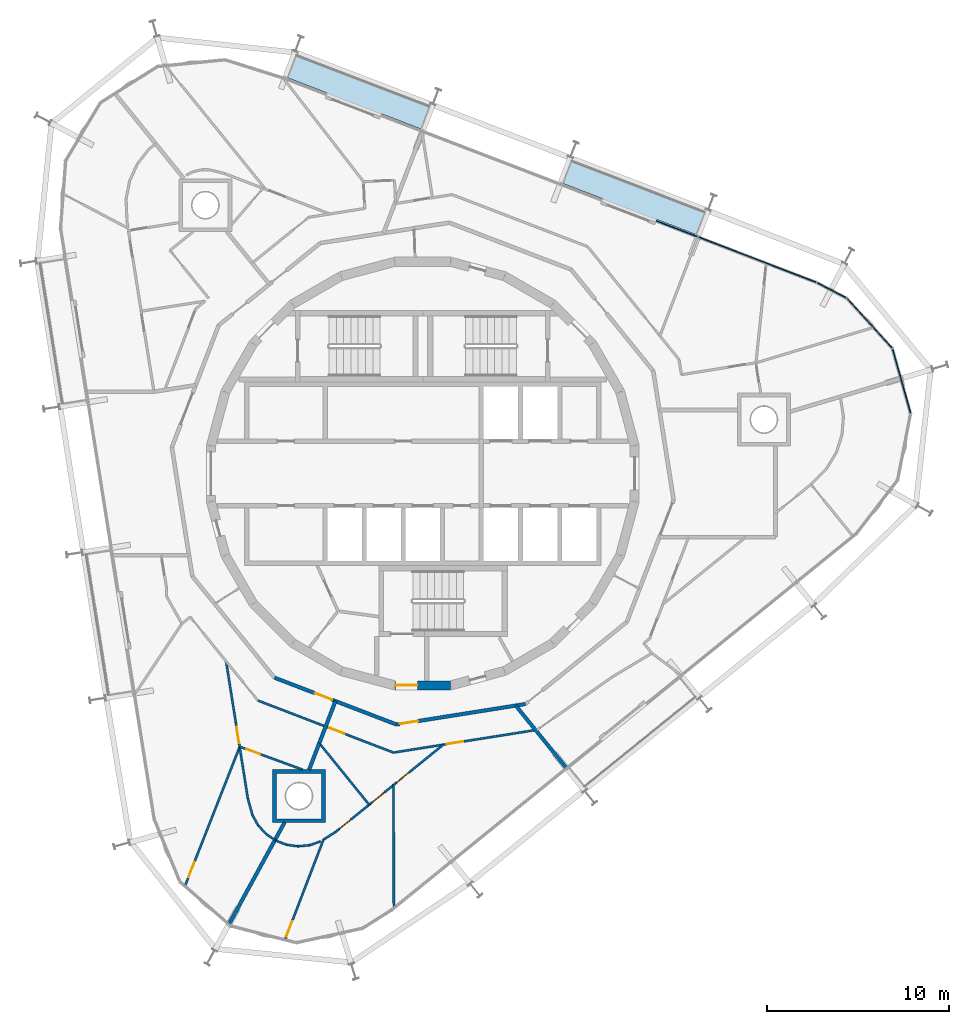
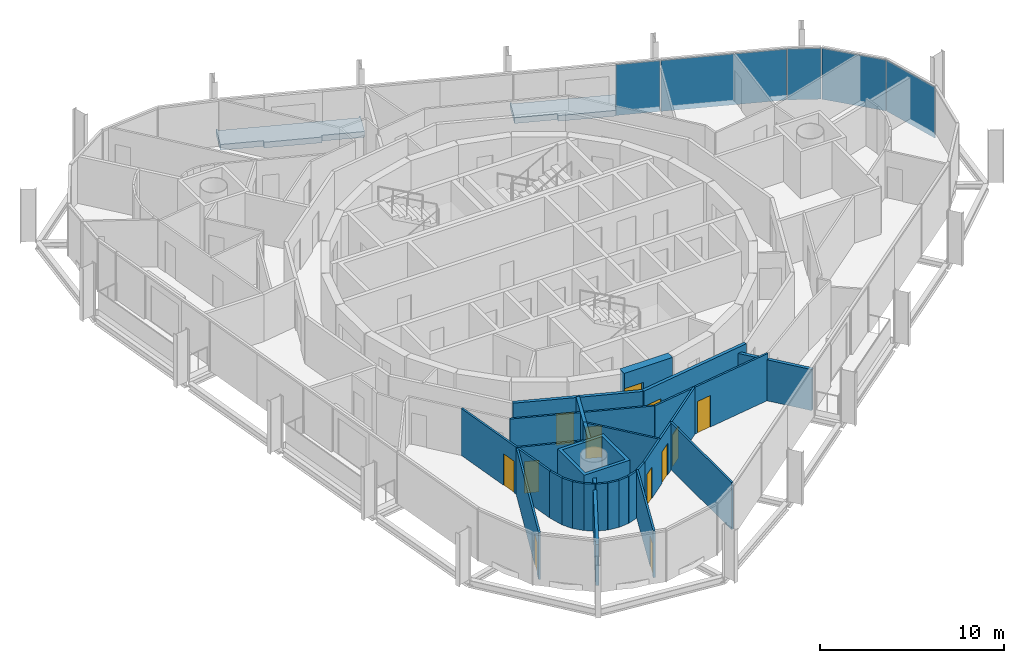
# One storey, part 11 of 18: 26 walls, 12 doors, 5 plates, 2 slabs, 12 openings, 2 elements without a shape of their own.
"""IFC4 building model written with IfcOpenShell, lengths in metres."""

from ifc_helpers import new_model, si_unit, direction, frame, frame_2d, origin, origin_2d, place, context, subcontext, project, spatial, polyline, rectangle, outline, extrude, material, layer, layer_set, type_object, element, fill, aggregate, save


model = new_model("IFC4")

# Units and contexts
model_context = context("Model", 3, precision=1e-05, world=origin(), true_north=direction((0.0, 1.0)))
body_context = subcontext(model_context, "Body", "Model", "MODEL_VIEW")
ifc_project = project(units=[si_unit("LENGTHUNIT", "METRE"), si_unit("AREAUNIT", "SQUARE_METRE"), si_unit("VOLUMEUNIT", "CUBIC_METRE"), si_unit("PLANEANGLEUNIT", "RADIAN"), si_unit("MASSUNIT", "GRAM", prefix="KILO")], contexts=[model_context])

# Site, building, storey
site_placement = place(None, origin())
site = spatial("IfcSite", under=ifc_project, at=site_placement, CompositionType="ELEMENT")
building_placement = place(site_placement, origin())
building = spatial("IfcBuilding", under=site, at=building_placement, Name="Spindle Arch Residences", CompositionType="ELEMENT")
storey_placement = place(building_placement, frame((0.0, 0.0, 280.89990234375)))
storey = spatial("IfcBuildingStorey", under=building, at=storey_placement, Name="L72", CompositionType="ELEMENT", Elevation=280.89990234375)

# Slabs
ifc_material_1 = material(Name="Concrete C40/50", Category="concrete")
ifc_layer_1 = layer(ifc_material_1, 0.3798828125)
ifc_layer_set_1 = layer_set([ifc_layer_1], Name="Balcony slab 380")
slab_type = type_object("IfcSlabType", Name="Balcony slab 380", PredefinedType="FLOOR", material=ifc_layer_set_1)
slab_1_placement = place(storey_placement, frame((0.0, 0.0, -0.3798828125)))
element("IfcSlab", 1, at=slab_1_placement, inside=storey, type_object=slab_type, Name="Balcony L72 bay 6", PredefinedType="FLOOR", context=body_context, shape_type="SweptSolid", body=[
    extrude(outline(polyline([(15.6220703125, 14.511962890625), (15.552001953125, 14.538818359375), (15.498291015625, 14.39892578125), (8.209228515625, 17.19677734375), (8.26318359375, 17.3369140625), (8.193115234375, 17.36376953125), (7.6591796875, 15.97265625), (9.8798828125, 15.120361328125), (9.822509765625, 14.970947265625), (12.81005859375, 13.823974609375), (12.867431640625, 13.973388671875), (15.088134765625, 13.12109375), (15.6220703125, 14.511962890625)])), origin(), (0.0, 0.0, 1.0), 0.3798828125),
])
slab_2_placement = place(storey_placement, frame((0.0, 0.0, -0.3798828125)))
element("IfcSlab", 2, at=slab_2_placement, inside=storey, type_object=slab_type, Name="Balcony L72 bay 8", PredefinedType="FLOOR", context=body_context, shape_type="SweptSolid", body=[
    extrude(outline(polyline([(0.48388671875, 20.322998046875), (0.413818359375, 20.349853515625), (0.360107421875, 20.2099609375), (-6.928955078125, 23.0078125), (-6.875, 23.14794921875), (-6.945068359375, 23.1748046875), (-7.47900390625, 21.78369140625), (-5.25830078125, 20.93115234375), (-5.315673828125, 20.781982421875), (-2.328125, 19.635009765625), (-2.270751953125, 19.784423828125), (-0.050048828125, 18.931884765625), (0.48388671875, 20.322998046875)])), origin(), (0.0, 0.0, 1.0), 0.3798828125),
])

# Curtain wall, plates
ifc_material_2 = material(Name="Aluminium bronze unitised frame with tinted glass", Category="aluminium")
ifc_layer_2 = layer(ifc_material_2, 0.159912109375)
ifc_layer_set_2 = layer_set([ifc_layer_2], Name="CW-D corner wall on the fillet arcs")
curtain_wall_type_1 = type_object("IfcCurtainWallType", Name="CW-D corner wall on the fillet arcs", PredefinedType="NOTDEFINED", material=ifc_layer_set_2)
curtain_wall_1_placement = place(storey_placement, origin())
curtain_wall_1 = element("IfcCurtainWall", 3, at=curtain_wall_1_placement, inside=storey, type_object=curtain_wall_type_1, Name="CW-D L72 run 1", PredefinedType="NOTDEFINED")
ifc_material_3 = material(Name="Tinted double glazing over aluminium faced non-combustible spandrel zone (K0)", Category="aluminium")
ifc_layer_3 = layer(ifc_material_3, 0.06005859375)
ifc_layer_set_3 = layer_set([ifc_layer_3], Name="Unitised glass panel with E 60 spandrel zone")
plate_type = type_object("IfcPlateType", Name="Unitised glass panel with E 60 spandrel zone", PredefinedType="CURTAIN_PANEL", material=ifc_layer_set_3)
plate_1_placement = place(storey_placement, frame((26.32958984375, 5.09423828125, -0.3798828125), z_axis=(0.0, 0.0, 1.0), x_axis=(-0.270040328007, 0.962849012696, 0.0)))
plate_1 = element("IfcPlate", 4, at=plate_1_placement, type_object=plate_type, Name="CW-D unit 03", PredefinedType="CURTAIN_PANEL", context=body_context, shape_type="SweptSolid", body=[
    extrude(rectangle(XDim=3.666748046875, YDim=0.06005859375, at=origin_2d()), origin(), (0.0, 0.0, 1.0), 3.3798828125),
])
plate_2_placement = place(storey_placement, frame((24.571533203125, 8.265869140625, -0.3798828125), z_axis=(0.0, 0.0, 1.0), x_axis=(-0.673442702134, 0.73923942464, 0.0)))
plate_2 = element("IfcPlate", 5, at=plate_2_placement, type_object=plate_type, Name="CW-D unit 04", PredefinedType="CURTAIN_PANEL", context=body_context, shape_type="SweptSolid", body=[
    extrude(rectangle(XDim=3.666748046875, YDim=0.06005859375, at=origin_2d()), origin(), (0.0, 0.0, 1.0), 3.3798828125),
])
plate_3_placement = place(storey_placement, frame((22.48583984375, 10.078857421875, -0.3798828125), z_axis=(0.0, 0.0, 1.0), x_axis=(-0.885663912754, 0.464326860783, 0.0)))
plate_3 = element("IfcPlate", 6, at=plate_3_placement, type_object=plate_type, Name="CW-D unit 05", PredefinedType="CURTAIN_PANEL", context=body_context, shape_type="SweptSolid", body=[
    extrude(rectangle(XDim=1.816162109375, YDim=0.06005859375, at=origin_2d()), origin(), (0.0, 0.0, 1.0), 3.3798828125),
])
plate_4_placement = place(storey_placement, frame((18.392333984375, 11.76708984375, -0.3798828125), z_axis=(0.0, 0.0, 1.0), x_axis=(-0.933580426497, 0.358367949545, 0.0)))
plate_4 = element("IfcPlate", 7, at=plate_4_placement, type_object=plate_type, Name="CW-D unit 06", PredefinedType="CURTAIN_PANEL", context=body_context, shape_type="SweptSolid", body=[
    extrude(rectangle(XDim=6.9296875, YDim=0.06005859375, at=origin_2d()), origin(), (0.0, 0.0, 1.0), 3.3798828125),
])
aggregate(curtain_wall_1, [plate_1, plate_2, plate_3, plate_4])

# Curtain wall, plate
ifc_material_4 = material(Name="Aluminium bronze unitised frame with tinted glass", Category="aluminium")
ifc_layer_4 = layer(ifc_material_4, 0.159912109375)
ifc_layer_set_4 = layer_set([ifc_layer_4], Name="CW-C typical residential unitised wall")
curtain_wall_type_2 = type_object("IfcCurtainWallType", Name="CW-C typical residential unitised wall", PredefinedType="NOTDEFINED", material=ifc_layer_set_4)
curtain_wall_2_placement = place(storey_placement, origin())
curtain_wall_2 = element("IfcCurtainWall", 8, at=curtain_wall_2_placement, inside=storey, type_object=curtain_wall_type_2, Name="CW-C L72 run 2", PredefinedType="NOTDEFINED")
plate_5_placement = place(storey_placement, frame((13.969970703125, 13.46435546875, -0.3798828125), z_axis=(0.0, 0.0, 1.0), x_axis=(-0.933580426497, 0.358367949545, 0.0)))
plate_5 = element("IfcPlate", 9, at=plate_5_placement, type_object=plate_type, Name="CW-C unit 05L", PredefinedType="CURTAIN_PANEL", context=body_context, shape_type="SweptSolid", body=[
    extrude(rectangle(XDim=2.423828125, YDim=0.06005859375, at=origin_2d()), origin(), (0.0, 0.0, 1.0), 3.3798828125),
])
aggregate(curtain_wall_2, [plate_5])

# Wall, opening, door
ifc_material_5 = material(Name="Concrete C50/60", Category="concrete")
ifc_layer_5 = layer(ifc_material_5, 0.5)
ifc_layer_set_5 = layer_set([ifc_layer_5], Name="Core outline wall 500")
wall_type_1 = type_object("IfcWallType", Name="Core outline wall 500", PredefinedType="SHEAR", material=ifc_layer_set_5)
wall_1_placement = place(storey_placement, frame((-1.516357421875, -11.647216796875, 0.0), z_axis=(0.0, 0.0, 1.0), x_axis=(1.0, 0.0, 0.0)))
wall_1 = element("IfcWall", 10, at=wall_1_placement, inside=storey, type_object=wall_type_1, Name="Core outline wall 24", PredefinedType="SHEAR", context=body_context, shape_type="SweptSolid", body=[
    extrude(rectangle(XDim=3.03271484375, YDim=0.5, at=frame_2d((1.516357421875, 0.0))), origin(), (0.0, 0.0, 1.0), 3.1201171875),
])
opening_1_placement = place(wall_1_placement, frame((0.016357421875, 0.0, 0.0)))
opening_1 = element("IfcOpeningElement", 11, at=opening_1_placement, cuts=wall_1, Name="Opening R7B1-AD03", PredefinedType="OPENING", context=body_context, shape_type="SweptSolid", body=[
    extrude(rectangle(XDim=1.199951171875, YDim=2.10009765625, at=frame_2d((0.60009765625, 1.050048828125))), frame((0.0, 0.260009765625, 0.0), z_axis=(0.0, -1.0, 0.0), x_axis=(1.0, 0.0, 0.0)), (0.0, 0.0, 1.0), 0.52001953125),
])
ifc_material_6 = material(Name="Steel, fire-resisting door", Category="steel")
door_type_1 = type_object("IfcDoorType", Name="Stair airlock door 1200x2100", OperationType="SINGLE_SWING_LEFT", PredefinedType="DOOR", material=ifc_material_6)
door_1_placement = place(opening_1_placement, origin())
door_1 = element("IfcDoor", 12, at=door_1_placement, inside=storey, type_object=door_type_1, Name="Stair airlock door R7B1-AD03", OperationType="SINGLE_SWING_RIGHT", OverallHeight=2.10009765625, OverallWidth=1.199951171875, PredefinedType="DOOR", context=body_context, shape_type="SweptSolid", body=[
    extrude(rectangle(XDim=1.199951171875, YDim=2.10009765625, at=frame_2d((0.60009765625, 1.050048828125))), frame((0.0, 0.02490234375, 0.0), z_axis=(0.0, -1.0, 0.0), x_axis=(1.0, 0.0, 0.0)), (0.0, 0.0, 1.0), 0.050048828125),
])
fill(opening_1, door_1)

ifc_material_7 = material(Name="Calcium silicate block, plastered")
ifc_layer_6 = layer(ifc_material_7, 0.199951171875)
ifc_layer_set_6 = layer_set([ifc_layer_6], Name="Corridor wall 200")
wall_type_2 = type_object("IfcWallType", Name="Corridor wall 200", PredefinedType="STANDARD", material=ifc_layer_set_6)
wall_2_placement = place(storey_placement, frame((-8.154296875, -11.223388671875, 0.0), z_axis=(0.0, 0.0, 1.0), x_axis=(0.93359073609, -0.358341090983, 0.0)))
wall_2 = element("IfcWall", 13, at=wall_2_placement, inside=storey, type_object=wall_type_2, Name="Corridor wall R7B1-W013", PredefinedType="STANDARD", context=body_context, shape_type="SweptSolid", body=[
    extrude(rectangle(XDim=7.180908203125, YDim=0.199951171875, at=frame_2d((3.59033203125, 0.0))), origin(), (0.0, 0.0, 1.0), 3.1201171875),
])
opening_2_placement = place(wall_2_placement, frame((2.390380859375, 0.0, 0.0)))
opening_2 = element("IfcOpeningElement", 14, at=opening_2_placement, cuts=wall_2, Name="Opening R7B1-FD04", PredefinedType="OPENING", context=body_context, shape_type="SweptSolid", body=[
    extrude(rectangle(XDim=1.0, YDim=2.10009765625, at=frame_2d((0.5, 1.050048828125))), frame((0.0, 0.10986328125, 0.0), z_axis=(0.0, -1.0, 0.0), x_axis=(1.0, 0.0, 0.0)), (0.0, 0.0, 1.0), 0.219970703125),
])
ifc_material_8 = material(Name="Timber, fire-resisting door set", Category="wood")
door_type_2 = type_object("IfcDoorType", Name="Flat entrance door 1000x2100", OperationType="NOTDEFINED", PredefinedType="DOOR", material=ifc_material_8)
door_2_placement = place(opening_2_placement, origin())
door_2 = element("IfcDoor", 15, at=door_2_placement, inside=storey, type_object=door_type_2, Name="Flat entrance door R7B1-FD04", OperationType="SINGLE_SWING_RIGHT", OverallHeight=2.10009765625, OverallWidth=1.0, PredefinedType="DOOR", context=body_context, shape_type="SweptSolid", body=[
    extrude(rectangle(XDim=1.0, YDim=2.10009765625, at=frame_2d((0.5, 1.050048828125))), frame((0.0, 0.02490234375, 0.0), z_axis=(0.0, -1.0, 0.0), x_axis=(1.0, 0.0, 0.0)), (0.0, 0.0, 1.0), 0.050048828125),
])
fill(opening_2, door_2)

wall_3_placement = place(storey_placement, frame((-1.4501953125, -13.796630859375, 0.0), z_axis=(0.0, 0.0, 1.0), x_axis=(0.987690361611, 0.156421704315, 0.0)))
wall_3 = element("IfcWall", 16, at=wall_3_placement, inside=storey, type_object=wall_type_2, Name="Corridor wall R7B1-W014", PredefinedType="STANDARD", context=body_context, shape_type="SweptSolid", body=[
    extrude(rectangle(XDim=7.18115234375, YDim=0.199951171875, at=frame_2d((3.590576171875, 0.0))), origin(), (0.0, 0.0, 1.0), 3.1201171875),
])
opening_3_placement = place(wall_3_placement, frame((0.199951171875, 0.0, 0.0)))
opening_3 = element("IfcOpeningElement", 17, at=opening_3_placement, cuts=wall_3, Name="Opening R7B1-FD05", PredefinedType="OPENING", context=body_context, shape_type="SweptSolid", body=[
    extrude(rectangle(XDim=1.0, YDim=2.10009765625, at=frame_2d((0.5, 1.050048828125))), frame((0.0, 0.10986328125, 0.0), z_axis=(0.0, -1.0, 0.0), x_axis=(1.0, 0.0, 0.0)), (0.0, 0.0, 1.0), 0.219970703125),
])
door_3_placement = place(opening_3_placement, origin())
door_3 = element("IfcDoor", 18, at=door_3_placement, inside=storey, type_object=door_type_2, Name="Flat entrance door R7B1-FD05", OperationType="SINGLE_SWING_LEFT", OverallHeight=2.10009765625, OverallWidth=1.0, PredefinedType="DOOR", context=body_context, shape_type="SweptSolid", body=[
    extrude(rectangle(XDim=1.0, YDim=2.10009765625, at=frame_2d((0.5, 1.050048828125))), frame((0.0, 0.02490234375, 0.0), z_axis=(0.0, -1.0, 0.0), x_axis=(1.0, 0.0, 0.0)), (0.0, 0.0, 1.0), 0.050048828125),
])
fill(opening_3, door_3)

ifc_material_9 = material(Name="Plasterboard on steel studs", Category="steel")
ifc_layer_7 = layer(ifc_material_9, 0.1201171875)
ifc_layer_set_7 = layer_set([ifc_layer_7], Name="Flat partition 120")
wall_type_3 = type_object("IfcWallType", Name="Flat partition 120", PredefinedType="PARTITIONING", material=ifc_layer_set_7)
wall_4_placement = place(storey_placement, frame((-9.06689453125, -12.4794921875, 0.0), z_axis=(0.0, 0.0, 1.0), x_axis=(0.933579449035, -0.358370495911, 0.0)))
wall_4 = element("IfcWall", 19, at=wall_4_placement, inside=storey, type_object=wall_type_3, Name="Flat partition R7B1-W073", PredefinedType="PARTITIONING", context=body_context, shape_type="SweptSolid", body=[
    extrude(rectangle(XDim=7.98486328125, YDim=0.1201171875, at=frame_2d((3.992431640625, 0.0))), origin(), (0.0, 0.0, 1.0), 3.1201171875),
])
opening_4_placement = place(wall_4_placement, frame((4.1923828125, 0.0, 0.0)))
opening_4 = element("IfcOpeningElement", 20, at=opening_4_placement, cuts=wall_4, Name="Opening R7B1-ID20", PredefinedType="OPENING", context=body_context, shape_type="SweptSolid", body=[
    extrude(rectangle(XDim=0.89990234375, YDim=2.10009765625, at=frame_2d((0.449951171875, 1.050048828125))), frame((0.0, 0.070068359375, 0.0), z_axis=(0.0, -1.0, 0.0), x_axis=(1.0, 0.0, 0.0)), (0.0, 0.0, 1.0), 0.14013671875),
])
ifc_material_10 = material(Name="Timber door set", Category="wood")
door_type_3 = type_object("IfcDoorType", Name="Room door 900x2100", OperationType="NOTDEFINED", PredefinedType="DOOR", material=ifc_material_10)
door_4_placement = place(opening_4_placement, origin())
door_4 = element("IfcDoor", 21, at=door_4_placement, inside=storey, type_object=door_type_3, Name="Room door R7B1-ID20", OperationType="SINGLE_SWING_RIGHT", OverallHeight=2.10009765625, OverallWidth=0.89990234375, PredefinedType="DOOR", context=body_context, shape_type="SweptSolid", body=[
    extrude(rectangle(XDim=0.89990234375, YDim=2.10009765625, at=frame_2d((0.449951171875, 1.050048828125))), frame((0.0, 0.02490234375, 0.0), z_axis=(0.0, -1.0, 0.0), x_axis=(1.0, 0.0, 0.0)), (0.0, 0.0, 1.0), 0.050048828125),
])
fill(opening_4, door_4)

wall_5_placement = place(storey_placement, frame((-9.619384765625, -17.87060546875, 0.0), z_axis=(0.0, 0.0, 1.0), x_axis=(-0.156433255633, 0.987688532146, 0.0)))
wall_5 = element("IfcWall", 22, at=wall_5_placement, inside=storey, type_object=wall_type_3, Name="Flat partition R7B1-W075", PredefinedType="PARTITIONING", context=body_context, shape_type="SweptSolid", body=[
    extrude(rectangle(XDim=7.64404296875, YDim=0.1201171875, at=frame_2d((3.822021484375, 0.0))), origin(), (0.0, 0.0, 1.0), 3.1201171875),
])
opening_5_placement = place(wall_5_placement, frame((3.08740234375, 0.0, 0.0)))
opening_5 = element("IfcOpeningElement", 23, at=opening_5_placement, cuts=wall_5, Name="Opening R7B1-ID19", PredefinedType="OPENING", context=body_context, shape_type="SweptSolid", body=[
    extrude(rectangle(XDim=0.89990234375, YDim=2.10009765625, at=frame_2d((0.449951171875, 1.050048828125))), frame((0.0, 0.070068359375, 0.0), z_axis=(0.0, -1.0, 0.0), x_axis=(1.0, 0.0, 0.0)), (0.0, 0.0, 1.0), 0.14013671875),
])
door_5_placement = place(opening_5_placement, origin())
door_5 = element("IfcDoor", 24, at=door_5_placement, inside=storey, type_object=door_type_3, Name="Room door R7B1-ID19", OperationType="SINGLE_SWING_LEFT", OverallHeight=2.10009765625, OverallWidth=0.89990234375, PredefinedType="DOOR", context=body_context, shape_type="SweptSolid", body=[
    extrude(rectangle(XDim=0.89990234375, YDim=2.10009765625, at=frame_2d((0.449951171875, 1.050048828125))), frame((0.0, 0.02490234375, 0.0), z_axis=(0.0, -1.0, 0.0), x_axis=(1.0, 0.0, 0.0)), (0.0, 0.0, 1.0), 0.050048828125),
])
fill(opening_5, door_5)

wall_6_placement = place(storey_placement, frame((-13.0673828125, -22.658203125, 0.0), z_axis=(0.0, 0.0, 1.0), x_axis=(0.365785999331, 0.930698986082, 0.0)))
wall_6 = element("IfcWall", 25, at=wall_6_placement, inside=storey, type_object=wall_type_3, Name="Flat partition R7B1-W076", PredefinedType="PARTITIONING", context=body_context, shape_type="SweptSolid", body=[
    extrude(rectangle(XDim=8.1962890625, YDim=0.1201171875, at=frame_2d((4.09814453125, 0.0))), origin(), (0.0, 0.0, 1.0), 3.1201171875),
])
opening_6_placement = place(wall_6_placement, frame((0.5, 0.0, 0.0)))
opening_6 = element("IfcOpeningElement", 26, at=opening_6_placement, cuts=wall_6, Name="Opening R7B1-ID18", PredefinedType="OPENING", context=body_context, shape_type="SweptSolid", body=[
    extrude(rectangle(XDim=0.89990234375, YDim=2.10009765625, at=frame_2d((0.449951171875, 1.050048828125))), frame((0.0, 0.070068359375, 0.0), z_axis=(0.0, -1.0, 0.0), x_axis=(1.0, 0.0, 0.0)), (0.0, 0.0, 1.0), 0.14013671875),
])
door_6_placement = place(opening_6_placement, origin())
door_6 = element("IfcDoor", 27, at=door_6_placement, inside=storey, type_object=door_type_3, Name="Room door R7B1-ID18", OperationType="SINGLE_SWING_RIGHT", OverallHeight=2.10009765625, OverallWidth=0.89990234375, PredefinedType="DOOR", context=body_context, shape_type="SweptSolid", body=[
    extrude(rectangle(XDim=0.89990234375, YDim=2.10009765625, at=frame_2d((0.449951171875, 1.050048828125))), frame((0.0, 0.02490234375, 0.0), z_axis=(0.0, -1.0, 0.0), x_axis=(1.0, 0.0, 0.0)), (0.0, 0.0, 1.0), 0.050048828125),
])
fill(opening_6, door_6)

wall_7_placement = place(storey_placement, frame((-10.0712890625, -15.018798828125, 0.0), z_axis=(0.0, 0.0, 1.0), x_axis=(0.939648507355, -0.34214131967, 0.0)))
wall_7 = element("IfcWall", 28, at=wall_7_placement, inside=storey, type_object=wall_type_3, Name="Flat partition R7B1-W077", PredefinedType="PARTITIONING", context=body_context, shape_type="SweptSolid", body=[
    extrude(rectangle(XDim=3.691162109375, YDim=0.1201171875, at=frame_2d((1.845703125, 0.0))), origin(), (0.0, 0.0, 1.0), 3.1201171875),
])
opening_7_placement = place(wall_7_placement, frame((0.39990234375, 0.0, 0.0)))
opening_7 = element("IfcOpeningElement", 29, at=opening_7_placement, cuts=wall_7, Name="Opening R7B1-BD04", PredefinedType="OPENING", context=body_context, shape_type="SweptSolid", body=[
    extrude(rectangle(XDim=0.800048828125, YDim=2.10009765625, at=frame_2d((0.39990234375, 1.050048828125))), frame((0.0, 0.070068359375, 0.0), z_axis=(0.0, -1.0, 0.0), x_axis=(1.0, 0.0, 0.0)), (0.0, 0.0, 1.0), 0.14013671875),
])
ifc_material_11 = material(Name="Timber door set", Category="wood")
door_type_4 = type_object("IfcDoorType", Name="Bathroom door 800x2100", OperationType="NOTDEFINED", PredefinedType="DOOR", material=ifc_material_11)
door_7_placement = place(opening_7_placement, origin())
door_7 = element("IfcDoor", 30, at=door_7_placement, inside=storey, type_object=door_type_4, Name="Bathroom door R7B1-BD04", OperationType="SINGLE_SWING_RIGHT", OverallHeight=2.10009765625, OverallWidth=0.800048828125, PredefinedType="DOOR", context=body_context, shape_type="SweptSolid", body=[
    extrude(rectangle(XDim=0.800048828125, YDim=2.10009765625, at=frame_2d((0.39990234375, 1.050048828125))), frame((0.0, 0.02490234375, 0.0), z_axis=(0.0, -1.0, 0.0), x_axis=(1.0, 0.0, 0.0)), (0.0, 0.0, 1.0), 0.050048828125),
])
fill(opening_7, door_7)

# Walls
wall_8_placement = place(storey_placement, frame((-8.13037109375, -20.15283203125, 0.0), z_axis=(0.0, 0.0, 1.0), x_axis=(-0.825599905246, 0.564255967145, 0.0)))
element("IfcWall", 31, at=wall_8_placement, inside=storey, type_object=wall_type_3, Name="Flat partition R7B1-W078", PredefinedType="PARTITIONING", context=body_context, shape_type="SweptSolid", body=[
    extrude(rectangle(XDim=0.59326171875, YDim=0.1201171875, at=frame_2d((0.296630859375, 0.0))), origin(), (0.0, 0.0, 1.0), 3.1201171875),
])
for number, where, z_axis, x_axis, name in (
    (32, (-8.6201171875, -19.818115234375, 0.0), (0.0, 0.0, 1.0), (-0.673448438961, 0.739234198385, 0.0), "Flat partition R7B1-W079"),
    (33, (-9.052490234375, -19.343505859375, 0.0), (0.0, 0.0, 1.0), (-0.485126357712, 0.874444061706, 0.0), "Flat partition R7B1-W080"),
):
    element("IfcWall", number, at=place(storey_placement, frame(where, z_axis=z_axis, x_axis=x_axis)), inside=storey, type_object=wall_type_3, Name=name, PredefinedType="PARTITIONING", context=body_context, shape_type="SweptSolid", body=[
        extrude(rectangle(XDim=0.64208984375, YDim=0.1201171875, at=frame_2d((0.321044921875, 0.0))), origin(), (0.0, 0.0, 1.0), 3.1201171875),
    ])
wall_9_placement = place(storey_placement, frame((-9.364013671875, -18.781982421875, 0.0), z_axis=(0.0, 0.0, 1.0), x_axis=(-0.269811707714, 0.962913102196, 0.0)))
element("IfcWall", 34, at=wall_9_placement, inside=storey, type_object=wall_type_3, Name="Flat partition R7B1-W081", PredefinedType="PARTITIONING", context=body_context, shape_type="SweptSolid", body=[
    extrude(rectangle(XDim=0.946533203125, YDim=0.1201171875, at=frame_2d((0.47314453125, 0.0))), origin(), (0.0, 0.0, 1.0), 3.1201171875),
])

# Wall, opening, door
wall_10_placement = place(storey_placement, frame((-1.6123046875, -15.341064453125, 0.0), z_axis=(0.0, 0.0, 1.0), x_axis=(0.987687560018, 0.15643939333, 0.0)))
wall_10 = element("IfcWall", 35, at=wall_10_placement, inside=storey, type_object=wall_type_3, Name="Flat partition R7B1-W082", PredefinedType="PARTITIONING", context=body_context, shape_type="SweptSolid", body=[
    extrude(rectangle(XDim=7.913818359375, YDim=0.1201171875, at=frame_2d((3.95703125, 0.0))), origin(), (0.0, 0.0, 1.0), 3.1201171875),
])
opening_8_placement = place(wall_10_placement, frame((2.97802734375, 0.0, 0.0)))
opening_8 = element("IfcOpeningElement", 36, at=opening_8_placement, cuts=wall_10, Name="Opening R7B1-ID21", PredefinedType="OPENING", context=body_context, shape_type="SweptSolid", body=[
    extrude(rectangle(XDim=0.89990234375, YDim=2.10009765625, at=frame_2d((0.449951171875, 1.050048828125))), frame((0.0, 0.070068359375, 0.0), z_axis=(0.0, -1.0, 0.0), x_axis=(1.0, 0.0, 0.0)), (0.0, 0.0, 1.0), 0.14013671875),
])
door_8_placement = place(opening_8_placement, origin())
door_8 = element("IfcDoor", 37, at=door_8_placement, inside=storey, type_object=door_type_3, Name="Room door R7B1-ID21", OperationType="SINGLE_SWING_LEFT", OverallHeight=2.10009765625, OverallWidth=0.89990234375, PredefinedType="DOOR", context=body_context, shape_type="SweptSolid", body=[
    extrude(rectangle(XDim=0.89990234375, YDim=2.10009765625, at=frame_2d((0.449951171875, 1.050048828125))), frame((0.0, 0.02490234375, 0.0), z_axis=(0.0, -1.0, 0.0), x_axis=(1.0, 0.0, 0.0)), (0.0, 0.0, 1.0), 0.050048828125),
])
fill(opening_8, door_8)

# Walls
wall_11_placement = place(storey_placement, frame((-5.609130859375, -20.223388671875, 0.0), z_axis=(0.0, 0.0, 1.0), x_axis=(-0.945401267449, -0.325908642882, 0.0)))
element("IfcWall", 38, at=wall_11_placement, inside=storey, type_object=wall_type_3, Name="Flat partition R7B1-W083", PredefinedType="PARTITIONING", context=body_context, shape_type="SweptSolid", body=[
    extrude(rectangle(XDim=0.64208984375, YDim=0.1201171875, at=frame_2d((0.321044921875, 0.0))), origin(), (0.0, 0.0, 1.0), 3.1201171875),
])
for number, where, z_axis, x_axis, name in (
    (39, (-6.216064453125, -20.4326171875, 0.0), (0.0, 0.0, 1.0), (-0.99513463391, -0.098524415207, 0.0), "Flat partition R7B1-W084"),
    (40, (-6.854736328125, -20.495849609375, 0.0), (0.0, 0.0, 1.0), (-0.991101230536, 0.133110295736, 0.0), "Flat partition R7B1-W085"),
    (41, (-7.490966796875, -20.410400390625, 0.0), (0.0, 0.0, 1.0), (-0.933453403881, 0.35869867965, 0.0), "Flat partition R7B1-W086"),
):
    element("IfcWall", number, at=place(storey_placement, frame(where, z_axis=z_axis, x_axis=x_axis)), inside=storey, type_object=wall_type_3, Name=name, PredefinedType="PARTITIONING", context=body_context, shape_type="SweptSolid", body=[
        extrude(rectangle(XDim=0.641845703125, YDim=0.1201171875, at=frame_2d((0.32080078125, 0.0))), origin(), (0.0, 0.0, 1.0), 3.1201171875),
    ])

# Wall, opening, door
wall_12_placement = place(storey_placement, frame((-7.57861328125, -25.6455078125, 0.0), z_axis=(0.0, 0.0, 1.0), x_axis=(0.358336526264, 0.933592488158, 0.0)))
wall_12 = element("IfcWall", 42, at=wall_12_placement, inside=storey, type_object=wall_type_3, Name="Flat partition R7B1-W087", PredefinedType="PARTITIONING", context=body_context, shape_type="SweptSolid", body=[
    extrude(rectangle(XDim=5.90771484375, YDim=0.1201171875, at=frame_2d((2.953857421875, 0.0))), origin(), (0.0, 0.0, 1.0), 3.1201171875),
])
opening_9_placement = place(wall_12_placement, frame((0.199951171875, 0.0, 0.0)))
opening_9 = element("IfcOpeningElement", 43, at=opening_9_placement, cuts=wall_12, Name="Opening R7B1-ID23", PredefinedType="OPENING", context=body_context, shape_type="SweptSolid", body=[
    extrude(rectangle(XDim=0.89990234375, YDim=2.10009765625, at=frame_2d((0.449951171875, 1.050048828125))), frame((0.0, 0.070068359375, 0.0), z_axis=(0.0, -1.0, 0.0), x_axis=(1.0, 0.0, 0.0)), (0.0, 0.0, 1.0), 0.14013671875),
])
door_9_placement = place(opening_9_placement, origin())
door_9 = element("IfcDoor", 44, at=door_9_placement, inside=storey, type_object=door_type_3, Name="Room door R7B1-ID23", OperationType="SINGLE_SWING_LEFT", OverallHeight=2.10009765625, OverallWidth=0.89990234375, PredefinedType="DOOR", context=body_context, shape_type="SweptSolid", body=[
    extrude(rectangle(XDim=0.89990234375, YDim=2.10009765625, at=frame_2d((0.449951171875, 1.050048828125))), frame((0.0, 0.02490234375, 0.0), z_axis=(0.0, -1.0, 0.0), x_axis=(1.0, 0.0, 0.0)), (0.0, 0.0, 1.0), 0.050048828125),
])
fill(opening_9, door_9)

# Wall
wall_13_placement = place(storey_placement, frame((-5.461669921875, -20.130126953125, 0.0), z_axis=(0.0, 0.0, 1.0), x_axis=(0.84494764883, 0.534849016768, 0.0)))
element("IfcWall", 45, at=wall_13_placement, inside=storey, type_object=wall_type_3, Name="Flat partition R7B1-W088", PredefinedType="PARTITIONING", context=body_context, shape_type="SweptSolid", body=[
    extrude(rectangle(XDim=0.7724609375, YDim=0.1201171875, at=frame_2d((0.38623046875, 0.0))), origin(), (0.0, 0.0, 1.0), 3.1201171875),
])

# Wall, openings, doors
wall_14_placement = place(storey_placement, frame((-4.80908203125, -19.717041015625, 0.0), z_axis=(0.0, 0.0, 1.0), x_axis=(0.777140730041, 0.629326851255, 0.0)))
wall_14 = element("IfcWall", 46, at=wall_14_placement, inside=storey, type_object=wall_type_3, Name="Flat partition R7B1-W089", PredefinedType="PARTITIONING", context=body_context, shape_type="SweptSolid", body=[
    extrude(rectangle(XDim=7.64404296875, YDim=0.1201171875, at=frame_2d((3.822021484375, 0.0))), origin(), (0.0, 0.0, 1.0), 3.1201171875),
])
opening_10_placement = place(wall_14_placement, frame((2.594482421875, 0.0, 0.0)))
opening_10 = element("IfcOpeningElement", 47, at=opening_10_placement, cuts=wall_14, Name="Opening R7B1-ID22", PredefinedType="OPENING", context=body_context, shape_type="SweptSolid", body=[
    extrude(rectangle(XDim=0.89990234375, YDim=2.10009765625, at=frame_2d((0.449951171875, 1.050048828125))), frame((0.0, 0.070068359375, 0.0), z_axis=(0.0, -1.0, 0.0), x_axis=(1.0, 0.0, 0.0)), (0.0, 0.0, 1.0), 0.14013671875),
])
opening_11_placement = place(wall_14_placement, frame((0.300048828125, 0.0, 0.0)))
opening_11 = element("IfcOpeningElement", 48, at=opening_11_placement, cuts=wall_14, Name="Opening R7B1-BD05", PredefinedType="OPENING", context=body_context, shape_type="SweptSolid", body=[
    extrude(rectangle(XDim=0.800048828125, YDim=2.10009765625, at=frame_2d((0.39990234375, 1.050048828125))), frame((0.0, 0.070068359375, 0.0), z_axis=(0.0, -1.0, 0.0), x_axis=(1.0, 0.0, 0.0)), (0.0, 0.0, 1.0), 0.14013671875),
])
opening_12_placement = place(wall_14_placement, frame((4.3193359375, 0.0, 0.0)))
opening_12 = element("IfcOpeningElement", 49, at=opening_12_placement, cuts=wall_14, Name="Opening R7B1-ID24", PredefinedType="OPENING", context=body_context, shape_type="SweptSolid", body=[
    extrude(rectangle(XDim=0.89990234375, YDim=2.10009765625, at=frame_2d((0.449951171875, 1.050048828125))), frame((0.0, 0.070068359375, 0.0), z_axis=(0.0, -1.0, 0.0), x_axis=(1.0, 0.0, 0.0)), (0.0, 0.0, 1.0), 0.14013671875),
])
door_10_placement = place(opening_11_placement, origin())
door_10 = element("IfcDoor", 50, at=door_10_placement, inside=storey, type_object=door_type_4, Name="Bathroom door R7B1-BD05", OperationType="SINGLE_SWING_RIGHT", OverallHeight=2.10009765625, OverallWidth=0.800048828125, PredefinedType="DOOR", context=body_context, shape_type="SweptSolid", body=[
    extrude(rectangle(XDim=0.800048828125, YDim=2.10009765625, at=frame_2d((0.39990234375, 1.050048828125))), frame((0.0, 0.02490234375, 0.0), z_axis=(0.0, -1.0, 0.0), x_axis=(1.0, 0.0, 0.0)), (0.0, 0.0, 1.0), 0.050048828125),
])
fill(opening_11, door_10)
door_11_placement = place(opening_10_placement, origin())
door_11 = element("IfcDoor", 51, at=door_11_placement, inside=storey, type_object=door_type_3, Name="Room door R7B1-ID22", OperationType="SINGLE_SWING_LEFT", OverallHeight=2.10009765625, OverallWidth=0.89990234375, PredefinedType="DOOR", context=body_context, shape_type="SweptSolid", body=[
    extrude(rectangle(XDim=0.89990234375, YDim=2.10009765625, at=frame_2d((0.449951171875, 1.050048828125))), frame((0.0, 0.02490234375, 0.0), z_axis=(0.0, -1.0, 0.0), x_axis=(1.0, 0.0, 0.0)), (0.0, 0.0, 1.0), 0.050048828125),
])
fill(opening_10, door_11)
door_12_placement = place(opening_12_placement, origin())
door_12 = element("IfcDoor", 52, at=door_12_placement, inside=storey, type_object=door_type_3, Name="Room door R7B1-ID24", OperationType="SINGLE_SWING_RIGHT", OverallHeight=2.10009765625, OverallWidth=0.89990234375, PredefinedType="DOOR", context=body_context, shape_type="SweptSolid", body=[
    extrude(rectangle(XDim=0.89990234375, YDim=2.10009765625, at=frame_2d((0.449951171875, 1.050048828125))), frame((0.0, 0.02490234375, 0.0), z_axis=(0.0, -1.0, 0.0), x_axis=(1.0, 0.0, 0.0)), (0.0, 0.0, 1.0), 0.050048828125),
])
fill(opening_12, door_12)

# Walls
wall_15_placement = place(storey_placement, frame((-2.9482421875, -18.210205078125, 0.0), z_axis=(0.0, 0.0, 1.0), x_axis=(-0.629330389268, 0.777137864953, 0.0)))
element("IfcWall", 53, at=wall_15_placement, inside=storey, type_object=wall_type_3, Name="Flat partition R7B1-W090", PredefinedType="PARTITIONING", context=body_context, shape_type="SweptSolid", body=[
    extrude(rectangle(XDim=4.357421875, YDim=0.1201171875, at=frame_2d((2.1787109375, 0.0))), origin(), (0.0, 0.0, 1.0), 3.1201171875),
])
wall_16_placement = place(storey_placement, frame((-1.590576171875, -23.802001953125, 0.0), z_axis=(0.0, 0.0, 1.0), x_axis=(-0.002595969315, 0.999996630466, 0.0)))
element("IfcWall", 54, at=wall_16_placement, inside=storey, type_object=wall_type_3, Name="Flat partition R7B1-W091", PredefinedType="PARTITIONING", context=body_context, shape_type="SweptSolid", body=[
    extrude(rectangle(XDim=6.67724609375, YDim=0.1201171875, at=frame_2d((3.338623046875, 0.0))), origin(), (0.0, 0.0, 1.0), 3.1201171875),
])
ifc_material_12 = material(Name="Calcium silicate block, plastered")
ifc_layer_8 = layer(ifc_material_12, 0.199951171875)
ifc_layer_set_8 = layer_set([ifc_layer_8], Name="Flat party wall 200")
wall_type_4 = type_object("IfcWallType", Name="Flat party wall 200", PredefinedType="STANDARD", material=ifc_layer_set_8)
wall_17_placement = place(storey_placement, frame((-5.6904296875, -14.823974609375, 0.0), z_axis=(0.0, 0.0, 1.0), x_axis=(0.358345342952, 0.933589104041, 0.0)))
element("IfcWall", 55, at=wall_17_placement, inside=storey, type_object=wall_type_4, Name="Flat party wall R7B1-W027", PredefinedType="STANDARD", context=body_context, shape_type="SweptSolid", body=[
    extrude(rectangle(XDim=2.478515625, YDim=0.199951171875, at=frame_2d((1.2392578125, 0.0))), origin(), (0.0, 0.0, 1.0), 3.1201171875),
])
wall_18_placement = place(storey_placement, frame((-6.25, -16.28173828125, 0.0), z_axis=(0.0, 0.0, 1.0), x_axis=(0.358360842469, 0.933583154617, 0.0)))
element("IfcWall", 56, at=wall_18_placement, inside=storey, type_object=wall_type_4, Name="Flat party wall R7B1-W028", PredefinedType="STANDARD", context=body_context, shape_type="SweptSolid", body=[
    extrude(rectangle(XDim=1.5615234375, YDim=0.199951171875, at=frame_2d((0.78076171875, 0.0))), origin(), (0.0, 0.0, 1.0), 3.1201171875),
])
ifc_material_13 = material(Name="Calcium silicate block, plastered")
ifc_layer_9 = layer(ifc_material_13, 0.199951171875)
ifc_layer_set_9 = layer_set([ifc_layer_9], Name="Flat party wall 200 under beam 2730")
wall_type_5 = type_object("IfcWallType", Name="Flat party wall 200 under beam 2730", PredefinedType="STANDARD", material=ifc_layer_set_9)
wall_19_placement = place(storey_placement, frame((-10.636962890625, -24.738037109375, 0.0), z_axis=(0.0, 0.0, 1.0), x_axis=(0.479683887596, 0.877441375808, 0.0)))
element("IfcWall", 57, at=wall_19_placement, inside=storey, type_object=wall_type_5, Name="Flat party wall R7B1-W029", PredefinedType="STANDARD", context=body_context, shape_type="SweptSolid", body=[
    extrude(rectangle(XDim=6.33251953125, YDim=0.199951171875, at=frame_2d((3.166259765625, 0.0))), origin(), (0.0, 0.0, 1.0), 2.72998046875),
])
wall_20_placement = place(storey_placement, frame((7.860595703125, -16.1484375, 0.0), z_axis=(0.0, 0.0, 1.0), x_axis=(-0.629330189513, 0.777138026716, 0.0)))
element("IfcWall", 58, at=wall_20_placement, inside=storey, type_object=wall_type_5, Name="Flat party wall R7B1-W030", PredefinedType="STANDARD", context=body_context, shape_type="SweptSolid", body=[
    extrude(rectangle(XDim=4.364013671875, YDim=0.199951171875, at=frame_2d((2.18212890625, 0.0))), origin(), (0.0, 0.0, 1.0), 2.72998046875),
])
ifc_material_14 = material(Name="Calcium silicate block, plastered")
ifc_layer_10 = layer(ifc_material_14, 0.199951171875)
ifc_layer_set_10 = layer_set([ifc_layer_10], Name="Mega-column casing wall 200")
wall_type_6 = type_object("IfcWallType", Name="Mega-column casing wall 200", PredefinedType="STANDARD", material=ifc_layer_set_10)
wall_21_placement = place(storey_placement, origin())
element("IfcWall", 59, at=wall_21_placement, inside=storey, type_object=wall_type_6, Name="Mega-column casing wall R7B1-WC03", PredefinedType="STANDARD", context=body_context, shape_type="SweptSolid", body=[
    extrude(outline(polyline([(-5.356689453125, -16.28173828125), (-5.356689453125, -19.181640625), (-8.256591796875, -19.181640625), (-8.256591796875, -16.28173828125), (-5.356689453125, -16.28173828125)]), holes=[polyline([(-8.056640625, -18.981689453125), (-5.556640625, -18.981689453125), (-5.556640625, -16.481689453125), (-8.056640625, -16.481689453125), (-8.056640625, -18.981689453125)])]), origin(), (0.0, 0.0, 1.0), 3.1201171875),
])

save(model, "model.ifc")
